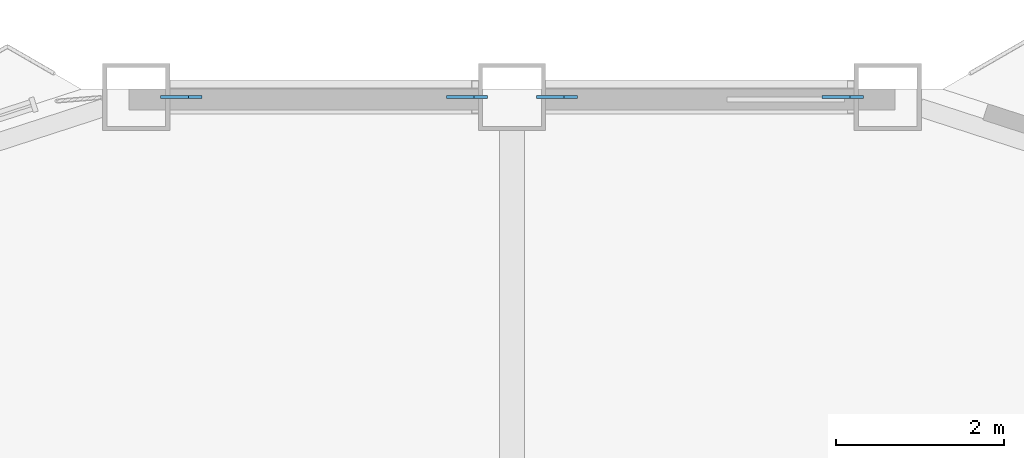
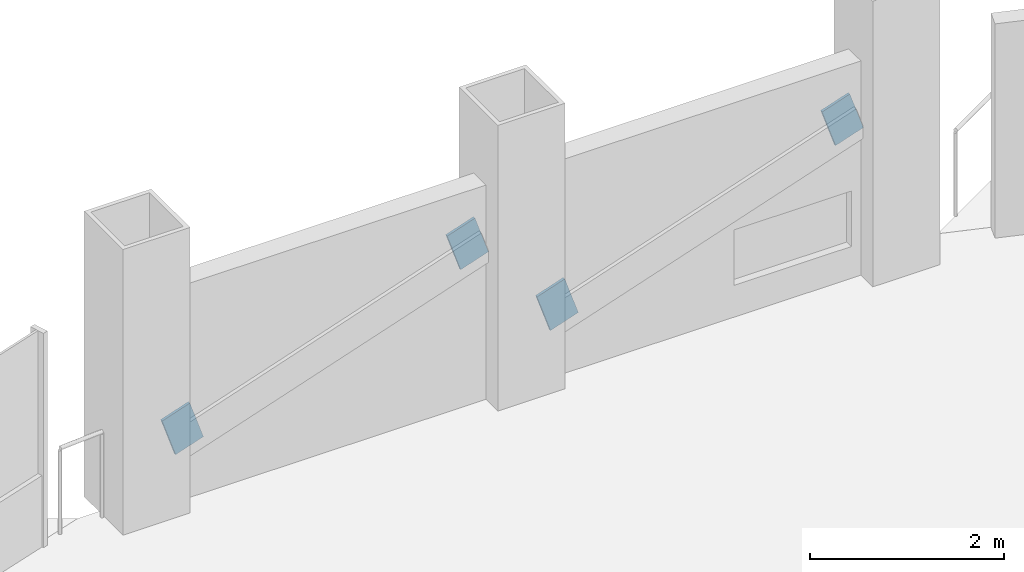
# One storey, part 18 of 23: 4 discrete accessories.
"""IFC4 building model written with IfcOpenShell, lengths in metres."""

from ifc_helpers import new_model, si_unit, direction, frame, origin, origin_2d, place, context, subcontext, project, spatial, rectangle, extrude, material, material_profile, profile_set, type_object, element, save


model = new_model("IFC4")

# Units and contexts
model_context = context("Model", 3, precision=1e-05, world=origin(), true_north=direction((0.0, 1.0)))
body_context = subcontext(model_context, "Body", "Model", "MODEL_VIEW")
ifc_project = project(units=[si_unit("LENGTHUNIT", "METRE"), si_unit("AREAUNIT", "SQUARE_METRE"), si_unit("VOLUMEUNIT", "CUBIC_METRE"), si_unit("PLANEANGLEUNIT", "RADIAN"), si_unit("MASSUNIT", "GRAM", prefix="KILO")], contexts=[model_context])

# Site, building, storey
site_placement = place(None, origin())
site = spatial("IfcSite", under=ifc_project, at=site_placement, CompositionType="ELEMENT")
building_placement = place(site_placement, origin())
building = spatial("IfcBuilding", under=site, at=building_placement, Name="Cormorant Prow Tower", CompositionType="ELEMENT")
storey_placement = place(building_placement, frame((0.0, 0.0, 176.39990234375)))
storey = spatial("IfcBuildingStorey", under=building, at=storey_placement, Name="L37", CompositionType="ELEMENT", Elevation=176.39990234375)

# Discrete accessories
ifc_material = material(Name="Structural steel ASTM A500 Gr C", Category="steel")
ifc_material_profile = material_profile(ifc_material, rectangle(XDim=0.031982421875, YDim=0.506103515625, at=origin_2d()), Name="Gusset plate 32x506")
ifc_profile_set = profile_set([ifc_material_profile], Name="Structural steel ASTM A500 Gr C")
discrete_accessory_type = type_object("IfcDiscreteAccessoryType", Name="Gusset plate 32x506", PredefinedType="BRACKET", material=ifc_profile_set)
discrete_accessory_1_placement = place(storey_placement, frame((0.701416015625, 32.3994140625, 0.835693359375), z_axis=(-0.947843027885, 0.0, -0.318737500915), x_axis=(0.0, -1.0, 0.0)))
element("IfcDiscreteAccessory", 1, at=discrete_accessory_1_placement, inside=storey, type_object=discrete_accessory_type, Name="Gusset plate GP2 L37.N00.g0", PredefinedType="BRACKET", context=body_context, shape_type="SweptSolid", body=[
    extrude(rectangle(XDim=0.031982421875, YDim=0.506103515625, at=origin_2d()), origin(), (0.0, 0.0, 1.0), 0.35009765625),
])
discrete_accessory_2_placement = place(storey_placement, frame((3.768798828125, 32.3994140625, 1.865478515625), z_axis=(0.948053578163, 0.0, 0.318110692893), x_axis=(0.0, 1.0, 0.0)))
element("IfcDiscreteAccessory", 2, at=discrete_accessory_2_placement, inside=storey, type_object=discrete_accessory_type, Name="Gusset plate GP2 L37.N00.g1", PredefinedType="BRACKET", context=body_context, shape_type="SweptSolid", body=[
    extrude(rectangle(XDim=0.031982421875, YDim=0.506103515625, at=origin_2d()), origin(), (0.0, 0.0, 1.0), 0.349853515625),
])
discrete_accessory_3_placement = place(storey_placement, frame((-3.768798828125, 32.3994140625, 0.835693359375), z_axis=(-0.947843027885, 0.0, -0.318737500915), x_axis=(0.0, -1.0, 0.0)))
element("IfcDiscreteAccessory", 3, at=discrete_accessory_3_placement, inside=storey, type_object=discrete_accessory_type, Name="Gusset plate GP2 L37.N01.g0", PredefinedType="BRACKET", context=body_context, shape_type="SweptSolid", body=[
    extrude(rectangle(XDim=0.031982421875, YDim=0.506103515625, at=origin_2d()), origin(), (0.0, 0.0, 1.0), 0.35009765625),
])
discrete_accessory_4_placement = place(storey_placement, frame((-0.701416015625, 32.3994140625, 1.865478515625), z_axis=(0.948053578163, 0.0, 0.318110692893), x_axis=(0.0, 1.0, 0.0)))
element("IfcDiscreteAccessory", 4, at=discrete_accessory_4_placement, inside=storey, type_object=discrete_accessory_type, Name="Gusset plate GP2 L37.N01.g1", PredefinedType="BRACKET", context=body_context, shape_type="SweptSolid", body=[
    extrude(rectangle(XDim=0.031982421875, YDim=0.506103515625, at=origin_2d()), origin(), (0.0, 0.0, 1.0), 0.349853515625),
])

save(model, "model.ifc")
